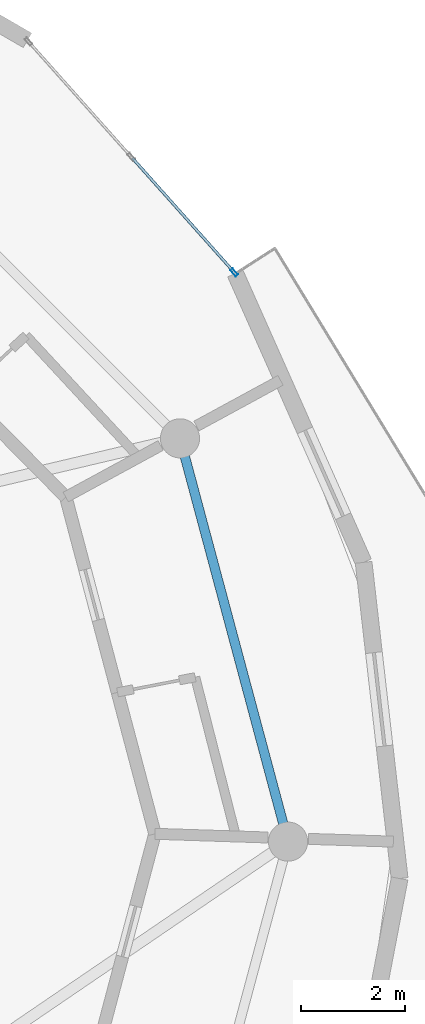
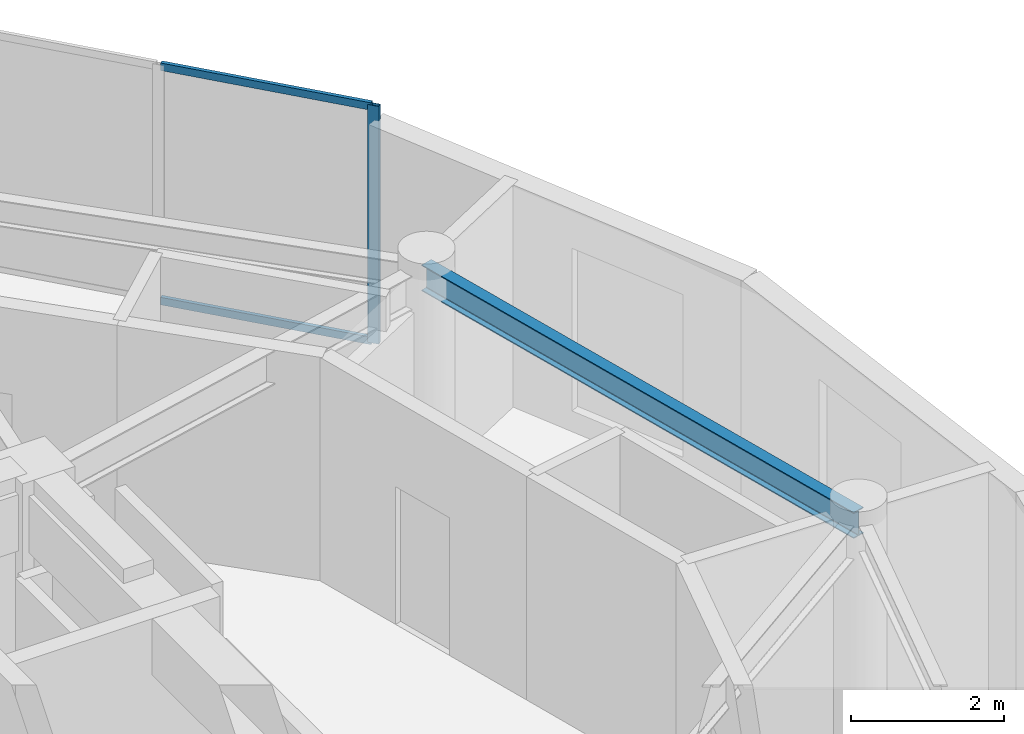
# One storey, part 12 of 23: 3 members, 1 beam, 1 element without a shape of its own.
"""IFC4 building model written with IfcOpenShell, lengths in metres."""

from ifc_helpers import new_model, si_unit, direction, frame, origin, origin_2d, place, context, subcontext, project, spatial, hollow_rectangle, i_section, extrude, source, transform, mapped, material, layer, layer_set, material_profile, profile_set, type_object, element, aggregate, save


model = new_model("IFC4")

# Units and contexts
model_context = context("Model", 3, precision=1e-05, world=origin(), true_north=direction((0.0, 1.0)))
body_context = subcontext(model_context, "Body", "Model", "MODEL_VIEW")
ifc_project = project(units=[si_unit("LENGTHUNIT", "METRE"), si_unit("AREAUNIT", "SQUARE_METRE"), si_unit("VOLUMEUNIT", "CUBIC_METRE"), si_unit("PLANEANGLEUNIT", "RADIAN"), si_unit("MASSUNIT", "GRAM", prefix="KILO")], contexts=[model_context])

# Site, building, storey
site_placement = place(None, origin())
site = spatial("IfcSite", under=ifc_project, at=site_placement, CompositionType="ELEMENT")
building_placement = place(site_placement, origin())
building = spatial("IfcBuilding", under=site, at=building_placement, Name="Solvirekh Grand Hotel", CompositionType="ELEMENT")
storey_placement = place(building_placement, frame((0.0, 0.0, 285.800048828125)))
storey = spatial("IfcBuildingStorey", under=building, at=storey_placement, Name="L74", CompositionType="ELEMENT", Elevation=285.800048828125)

# Beam
ifc_material_1 = material(Name="Steel S355", Category="steel")
ifc_material_profile_1 = material_profile(ifc_material_1, i_section(OverallWidth=0.180908203125, OverallDepth=0.4169921875, WebThickness=0.010009765625, FlangeThickness=0.01611328125, FilletRadius=0.011962890625, at=origin_2d()), Name="W410X85")
ifc_profile_set_1 = profile_set([ifc_material_profile_1], Name="Steel S355")
beam_type = type_object("IfcBeamType", Name="Spandrel_Ring_W410", PredefinedType="SPANDREL", material=ifc_profile_set_1)
beam_placement = place(storey_placement, frame((15.449951171875, 0.0, 3.36083984375), z_axis=(-0.258834757072, 0.965921616143, 0.0), x_axis=(-0.965921616143, -0.258834757072, 0.0)))
element("IfcBeam", 1, at=beam_placement, inside=storey, type_object=beam_type, Name="L74 perimeter spandrel beam 1", PredefinedType="SPANDREL", context=body_context, shape_type="SweptSolid", body=[
    extrude(i_section(OverallWidth=0.180908203125, OverallDepth=0.4169921875, WebThickness=0.010009765625, FlangeThickness=0.01611328125, FilletRadius=0.011962890625, at=origin_2d()), origin(), (0.0, 0.0, 1.0), 7.99755859375),
])

# Curtain wall, members
ifc_material_2 = material(Name="Anodized Bronze Aluminium 6063-T6", Category="aluminium")
ifc_layer = layer(ifc_material_2, 0.159912109375)
ifc_layer_set = layer_set([ifc_layer], Name="Anodized Bronze Aluminium 6063-T6")
curtain_wall_type = type_object("IfcCurtainWallType", Name="CW_Sys4_HighZoneFlushBronzeCW", PredefinedType="NOTDEFINED", material=ifc_layer_set)
curtain_wall_placement = place(storey_placement, origin())
curtain_wall = element("IfcCurtainWall", 2, at=curtain_wall_placement, inside=storey, type_object=curtain_wall_type, Name="L74 unitised bronze-glass curtain wall CW-L74-C08", PredefinedType="NOTDEFINED")
ifc_material_profile_2 = material_profile(ifc_material_2, hollow_rectangle(XDim=0.06005859375, YDim=0.159912109375, WallThickness=0.0048828125, at=origin_2d()), Name="ALU RHS 160X60X5")
ifc_profile_set_2 = profile_set([ifc_material_profile_2], Name="Anodized Bronze Aluminium 6063-T6")
member_type_1 = type_object("IfcMemberType", Name="CWMullion_Sys4", PredefinedType="MULLION", material=ifc_profile_set_2)
shared_shape_1 = source(origin(), body_context, "Body", "SweptSolid", [
    extrude(hollow_rectangle(XDim=0.06005859375, YDim=0.159912109375, WallThickness=0.0048828125, at=origin_2d()), origin(), (0.0, 0.0, 1.0), 3.800048828125),
])
member_1_placement = place(storey_placement, frame((14.419921875, 10.904296875, 0.0), z_axis=(0.0, 0.0, 1.0), x_axis=(-0.746468159364, -0.665421135114, 0.0)))
member_1 = element("IfcMember", 3, at=member_1_placement, type_object=member_type_1, Name="U04 mullion 1", PredefinedType="MULLION", context=body_context, shape_type="MappedRepresentation", body=[
    mapped(shared_shape_1, transform((0.0, 0.0, 0.0), x_axis=(1.0, 0.0, 0.0), y_axis=(0.0, 1.0, 0.0), z_axis=(0.0, 0.0, 1.0), scale=1.0)),
])
ifc_material_profile_3 = material_profile(ifc_material_2, hollow_rectangle(XDim=0.054931640625, YDim=0.1201171875, WallThickness=0.00390625, at=origin_2d()), Name="ALU RHS 120X55X4")
ifc_profile_set_3 = profile_set([ifc_material_profile_3], Name="Anodized Bronze Aluminium 6063-T6")
member_type_2 = type_object("IfcMemberType", Name="CWTransom_Sys4", PredefinedType="USERDEFINED", material=ifc_profile_set_3)
shared_shape_2 = source(origin(), body_context, "Body", "SweptSolid", [
    extrude(hollow_rectangle(XDim=0.054931640625, YDim=0.1201171875, WallThickness=0.00390625, at=origin_2d()), origin(), (0.0, 0.0, 1.0), 2.902099609375),
])
member_2_placement = place(storey_placement, frame((14.400146484375, 10.9267578125, 0.02734375), z_axis=(-0.665438806714, 0.746452406065, 0.0), x_axis=(-0.746452406065, -0.665438806714, 0.0)))
member_2 = element("IfcMember", 4, at=member_2_placement, type_object=member_type_2, Name="U04 transom 1.1", ObjectType="TRANSOM", PredefinedType="USERDEFINED", context=body_context, shape_type="MappedRepresentation", body=[
    mapped(shared_shape_2, transform((0.0, 0.0, 0.0), x_axis=(1.0, 0.0, 0.0), y_axis=(0.0, 1.0, 0.0), z_axis=(0.0, 0.0, 1.0), scale=1.0)),
])
member_3_placement = place(storey_placement, frame((14.400146484375, 10.9267578125, 3.7724609375), z_axis=(-0.665438806714, 0.746452406065, 0.0), x_axis=(-0.746452406065, -0.665438806714, 0.0)))
member_3 = element("IfcMember", 5, at=member_3_placement, type_object=member_type_2, Name="U04 transom 1.2", ObjectType="TRANSOM", PredefinedType="USERDEFINED", context=body_context, shape_type="MappedRepresentation", body=[
    mapped(shared_shape_2, transform((0.0, 0.0, 0.0), x_axis=(1.0, 0.0, 0.0), y_axis=(0.0, 1.0, 0.0), z_axis=(0.0, 0.0, 1.0), scale=1.0)),
])
aggregate(curtain_wall, [member_1, member_2, member_3])

save(model, "model.ifc")
